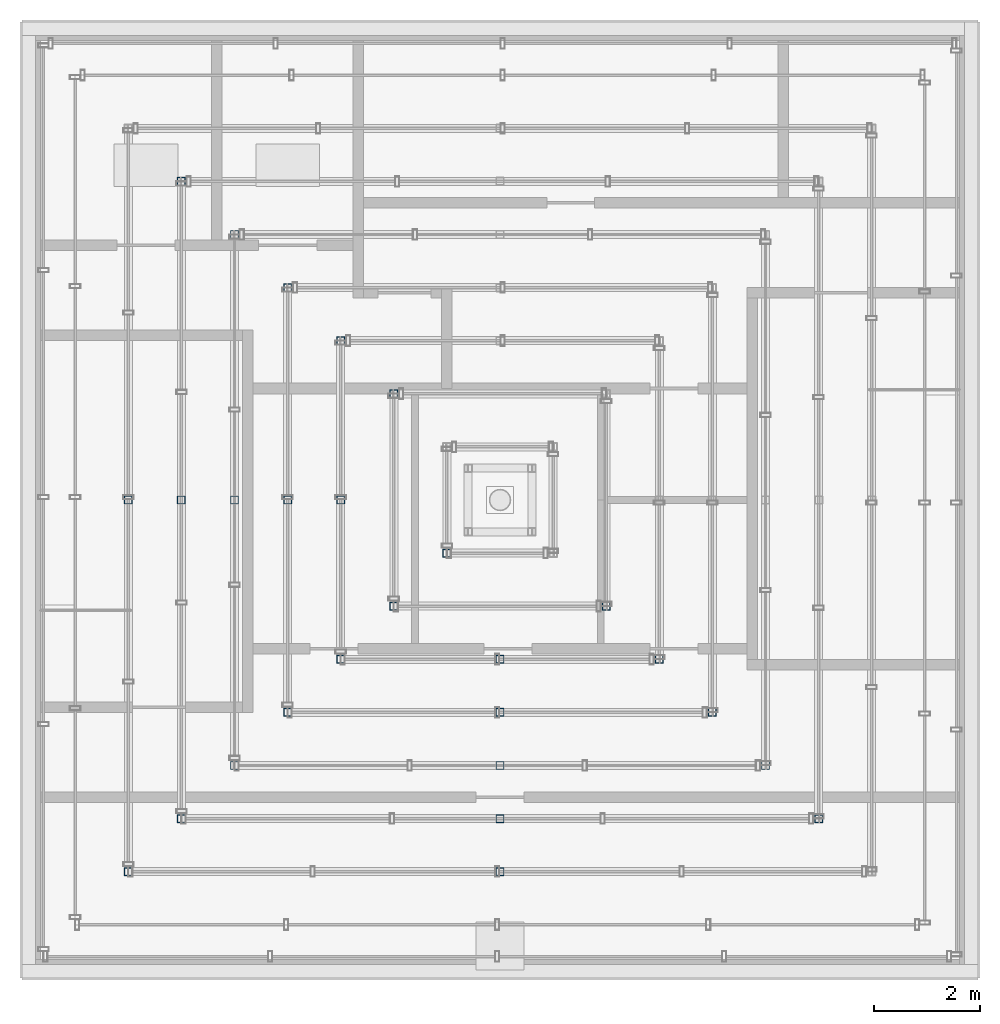
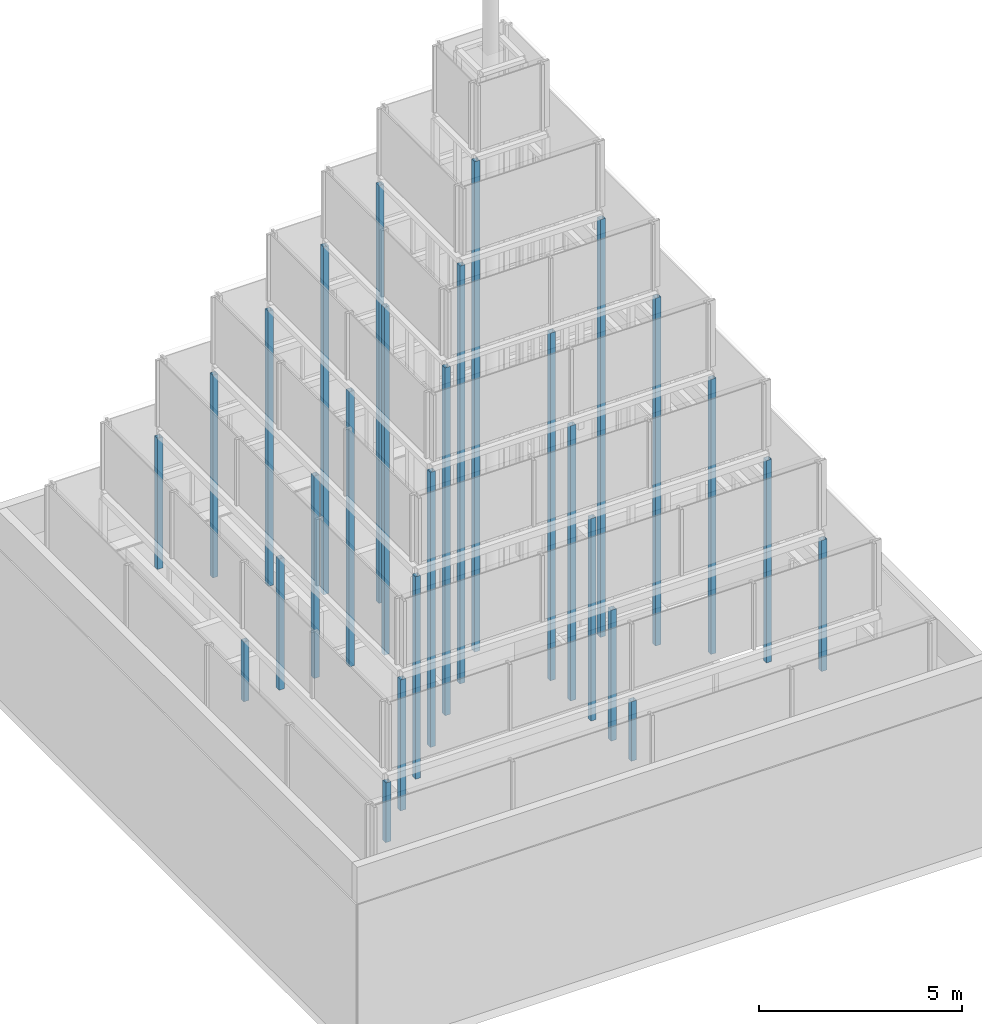
# One storey, part 1 of 24: 27 columns.
"""IFC4 building model written with IfcOpenShell, lengths in metres."""

from ifc_helpers import new_model, si_unit, direction, frame, origin, origin_2d, place, context, subcontext, project, spatial, hollow_rectangle, extrude, material, material_profile, profile_set, type_object, element, save


model = new_model("IFC4")

# Units and contexts
model_context = context("Model", 3, precision=1e-05, world=origin(), true_north=direction((0.0, 1.0)))
body_context = subcontext(model_context, "Body", "Model", "MODEL_VIEW")
ifc_project = project(units=[si_unit("LENGTHUNIT", "METRE"), si_unit("AREAUNIT", "SQUARE_METRE"), si_unit("VOLUMEUNIT", "CUBIC_METRE"), si_unit("PLANEANGLEUNIT", "RADIAN"), si_unit("MASSUNIT", "GRAM", prefix="KILO")], contexts=[model_context])

# Site, building, storey
site_placement = place(None, origin())
site = spatial("IfcSite", under=ifc_project, at=site_placement, CompositionType="ELEMENT")
building_placement = place(site_placement, origin())
building = spatial("IfcBuilding", under=site, at=building_placement, Name="Altepetl Exchange Towers", CompositionType="ELEMENT")
storey_placement = place(building_placement, frame((0.0, 0.0, 279.10009765625)))
storey = spatial("IfcBuildingStorey", under=building, at=storey_placement, Name="L70 Crown plant", CompositionType="ELEMENT", Elevation=279.10009765625)

# Columns
ifc_material = material(Name="Steel S355", Category="steel")
ifc_material_profile = material_profile(ifc_material, hollow_rectangle(XDim=0.14990234375, YDim=0.14990234375, WallThickness=0.008056640625, at=origin_2d()), Name="RHS 150x150x8")
ifc_profile_set = profile_set([ifc_material_profile], Name="Steel S355")
column_type = type_object("IfcColumnType", Name="Crown post hollow section 150x150x8", PredefinedType="COLUMN", material=ifc_profile_set)
for number, where, name in (
    (1, (42.5, 42.5, 4.5), "Crown post"),
    (2, (49.5, 42.5, 4.5), "Crown post"),
    (3, (42.5, 49.5, 4.5), "Crown post"),
):
    element("IfcColumn", number, at=place(storey_placement, frame(where)), inside=storey, type_object=column_type, Name=name, PredefinedType="COLUMN", context=body_context, shape_type="SweptSolid", body=[
        extrude(hollow_rectangle(XDim=0.14990234375, YDim=0.14990234375, WallThickness=0.008056640625, at=origin_2d()), origin(), (0.0, 0.0, 1.0), 1.7998046875),
    ])
for number, where, name in (
    (4, (43.5, 43.5, 4.5), "Crown post"),
    (5, (49.5, 43.5, 4.5), "Crown post"),
    (6, (55.5, 43.5, 4.5), "Crown post"),
    (7, (43.5, 55.5, 4.5), "Crown post"),
    (8, (43.5, 49.5, 4.5), "Crown post"),
):
    element("IfcColumn", number, at=place(storey_placement, frame(where)), inside=storey, type_object=column_type, Name=name, PredefinedType="COLUMN", context=body_context, shape_type="SweptSolid", body=[
        extrude(hollow_rectangle(XDim=0.14990234375, YDim=0.14990234375, WallThickness=0.008056640625, at=origin_2d()), origin(), (0.0, 0.0, 1.0), 3.949951171875),
    ])
for number, where, name in (
    (9, (44.5, 44.5, 4.5), "Crown post"),
    (10, (49.5, 44.5, 4.5), "Crown post"),
    (11, (54.5, 44.5, 4.5), "Crown post"),
    (12, (44.5, 54.5, 4.5), "Crown post"),
    (13, (44.5, 49.5, 4.5), "Crown post"),
):
    element("IfcColumn", number, at=place(storey_placement, frame(where)), inside=storey, type_object=column_type, Name=name, PredefinedType="COLUMN", context=body_context, shape_type="SweptSolid", body=[
        extrude(hollow_rectangle(XDim=0.14990234375, YDim=0.14990234375, WallThickness=0.008056640625, at=origin_2d()), origin(), (0.0, 0.0, 1.0), 6.099853515625),
    ])
for number, where, name in (
    (14, (45.5, 45.5, 4.5), "Crown post"),
    (15, (49.5, 45.5, 4.5), "Crown post"),
    (16, (53.5, 45.5, 4.5), "Crown post"),
    (17, (45.5, 53.5, 4.5), "Crown post"),
    (18, (45.5, 49.5, 4.5), "Crown post"),
):
    element("IfcColumn", number, at=place(storey_placement, frame(where)), inside=storey, type_object=column_type, Name=name, PredefinedType="COLUMN", context=body_context, shape_type="SweptSolid", body=[
        extrude(hollow_rectangle(XDim=0.14990234375, YDim=0.14990234375, WallThickness=0.008056640625, at=origin_2d()), origin(), (0.0, 0.0, 1.0), 8.289794921875),
    ])
for number, where, name in (
    (19, (46.5, 46.5, 4.5), "Crown post"),
    (20, (49.5, 46.5, 4.5), "Crown post"),
    (21, (52.5, 46.5, 4.5), "Crown post"),
    (22, (46.5, 52.5, 4.5), "Crown post"),
    (23, (46.5, 49.5, 4.5), "Crown post"),
):
    element("IfcColumn", number, at=place(storey_placement, frame(where)), inside=storey, type_object=column_type, Name=name, PredefinedType="COLUMN", context=body_context, shape_type="SweptSolid", body=[
        extrude(hollow_rectangle(XDim=0.14990234375, YDim=0.14990234375, WallThickness=0.008056640625, at=origin_2d()), origin(), (0.0, 0.0, 1.0), 10.47998046875),
    ])
for number, where, name in (
    (24, (47.5, 47.5, 4.5), "Crown post"),
    (25, (51.5, 47.5, 4.5), "Crown post"),
    (26, (47.5, 51.5, 4.5), "Crown post"),
):
    element("IfcColumn", number, at=place(storey_placement, frame(where)), inside=storey, type_object=column_type, Name=name, PredefinedType="COLUMN", context=body_context, shape_type="SweptSolid", body=[
        extrude(hollow_rectangle(XDim=0.14990234375, YDim=0.14990234375, WallThickness=0.008056640625, at=origin_2d()), origin(), (0.0, 0.0, 1.0), 12.58984375),
    ])
column_placement = place(storey_placement, frame((48.5, 48.5, 4.5)))
element("IfcColumn", 27, at=column_placement, inside=storey, type_object=column_type, Name="Crown post", PredefinedType="COLUMN", context=body_context, shape_type="SweptSolid", body=[
    extrude(hollow_rectangle(XDim=0.14990234375, YDim=0.14990234375, WallThickness=0.008056640625, at=origin_2d()), origin(), (0.0, 0.0, 1.0), 14.77978515625),
])

save(model, "model.ifc")
